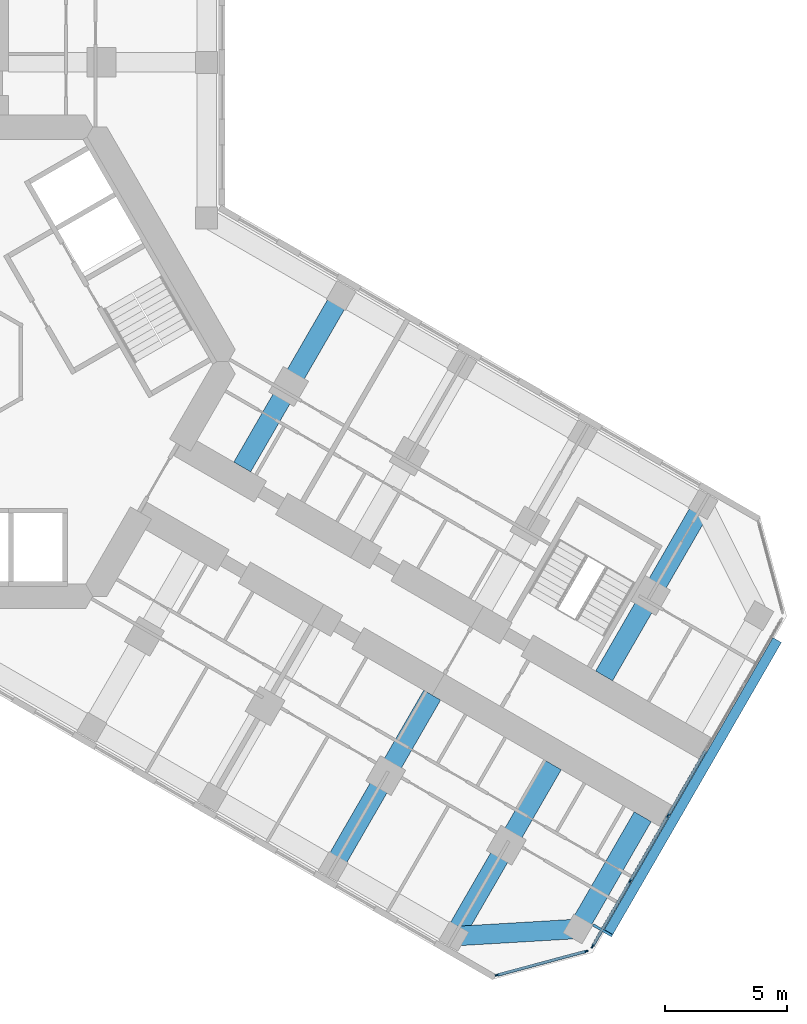
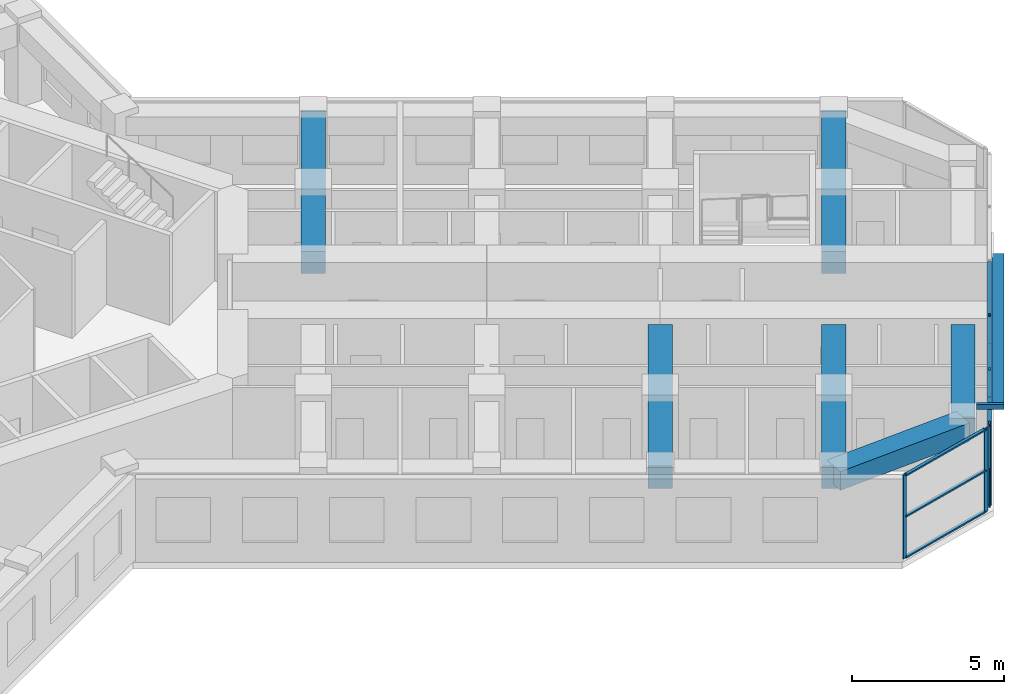
# One storey, part 5 of 22: 16 members, 6 beams, 2 elements without a shape of their own.
"""IFC4 building model written with IfcOpenShell, lengths in metres."""

import ifcopenshell
import ifcopenshell.guid

model = None  # the IFC model being written
_history = None  # IfcOwnerHistory: only IFC2X3 demands one
_inside = {}  # id of a spatial element -> (the spatial element, [elements in it])
_under = {}  # id of a project, library or spatial element -> (it, [spatial elements below it])
_declared = {}  # id of a project -> (the project, [libraries it declares])
_typed = {}  # id of a type object -> (the type object, [elements of that type])
_made_of = {}  # id of a material, layer set ... -> (it, [elements and type objects made of it])


def new_model(schema):
    """Start an empty IFC model of exactly this schema.

    Asked for "IFC4X3", IfcOpenShell would pick the latest addendum, in which some entities
    have other attributes; the version numbers below select the first issue.
    IFC2X3 requires an IfcOwnerHistory on every rooted entity: one is made here for all.
    """
    global model, _history
    if schema == "IFC4X3":
        model = ifcopenshell.file(schema_version=(4, 3, 0, 0))
    else:
        model = ifcopenshell.file(schema=schema)
    _inside.clear()
    _under.clear()
    _declared.clear()
    _typed.clear()
    _made_of.clear()
    _history = None
    if model.schema == "IFC2X3":
        org = make("IfcOrganization", Name="unknown")
        user = make(
            "IfcPersonAndOrganization",
            ThePerson=make("IfcPerson", FamilyName="unknown"),
            TheOrganization=org,
        )
        app = make(
            "IfcApplication",
            ApplicationDeveloper=org,
            Version="unknown",
            ApplicationFullName="unknown",
            ApplicationIdentifier="unknown",
        )
        _history = make(
            "IfcOwnerHistory",
            OwningUser=user,
            OwningApplication=app,
            ChangeAction="ADDED",
            CreationDate=0,
        )
    return model


def make(cls, **values):
    """One entity of the class cls with the attributes given. An attribute that is None is left unset."""
    return model.create_entity(
        cls, **{name: value for name, value in values.items() if value is not None}
    )


def rooted(cls, **values):
    """An entity with a GlobalId (a new one), such as an element, a storey or a relation."""
    return make(cls, GlobalId=ifcopenshell.guid.new(), OwnerHistory=_history, **values)


def si_unit(unit_type, name, prefix=None):
    """IfcSIUnit, for example si_unit("LENGTHUNIT", "METRE", prefix="MILLI")."""
    return make("IfcSIUnit", UnitType=unit_type, Prefix=prefix, Name=name)


def assignment(units):
    """IfcUnitAssignment: the units of a project."""
    return None if units is None else make("IfcUnitAssignment", Units=units)


def point(xyz):
    """IfcCartesianPoint."""
    return None if xyz is None else make("IfcCartesianPoint", Coordinates=xyz)


def direction(xyz):
    """IfcDirection."""
    return None if xyz is None else make("IfcDirection", DirectionRatios=xyz)


def frame(location, z_axis=None, x_axis=None):
    """IfcAxis2Placement3D, a coordinate frame: its origin and axes. An axis left out is left unset."""
    return make(
        "IfcAxis2Placement3D",
        Location=point(location),
        Axis=direction(z_axis),
        RefDirection=direction(x_axis),
    )


def frame_2d(location, x_axis=None):
    """IfcAxis2Placement2D, a coordinate frame in the plane: its origin and x axis."""
    return make(
        "IfcAxis2Placement2D", Location=point(location), RefDirection=direction(x_axis)
    )


def origin():
    """The frame at (0, 0, 0) with its axes left unset."""
    return frame((0.0, 0.0, 0.0))


def origin_2d():
    """The frame at (0, 0) in the plane with its x axis left unset."""
    return frame_2d((0.0, 0.0))


def place(relative_to, where):
    """IfcLocalPlacement: puts the frame where relative to a parent placement (None: the world)."""
    return make(
        "IfcLocalPlacement", PlacementRelTo=relative_to, RelativePlacement=where
    )


def context(
    kind, dimensions, precision=None, world=None, true_north=None, identifier=None
):
    """IfcGeometricRepresentationContext, for example the 3D "Model" context."""
    return make(
        "IfcGeometricRepresentationContext",
        ContextIdentifier=identifier,
        ContextType=kind,
        CoordinateSpaceDimension=dimensions,
        Precision=precision,
        WorldCoordinateSystem=world,
        TrueNorth=true_north,
    )


def subcontext(parent, identifier, kind, view, scale=None):
    """IfcGeometricRepresentationSubContext, for example "Body" below "Model"."""
    return make(
        "IfcGeometricRepresentationSubContext",
        ContextIdentifier=identifier,
        ContextType=kind,
        ParentContext=parent,
        TargetScale=scale,
        TargetView=view,
    )


def project(units=None, contexts=None):
    """IfcProject with its units and contexts."""
    return rooted(
        "IfcProject",
        Name="project",
        RepresentationContexts=contexts,
        UnitsInContext=assignment(units),
    )


def spatial(cls, under=None, at=None, **own):
    """A site, building, storey or space (cls), placed at a placement, below another one or the project."""
    s = rooted(cls, ObjectPlacement=at, **own)
    if under is not None:
        _under.setdefault(under.id(), (under, []))[1].append(s)
    return s


def profile(cls, at=None, kind="AREA", **sizes):
    """A parametric profile (cls). Its sizes go by their IFC names, for example OverallWidth=200.0."""
    return make(cls, ProfileType=kind, Position=at, **sizes)


def rectangle(**sizes):
    """IfcRectangleProfileDef."""
    return profile("IfcRectangleProfileDef", **sizes)


def hollow_rectangle(**sizes):
    """IfcRectangleHollowProfileDef."""
    return profile("IfcRectangleHollowProfileDef", **sizes)


def extrude(swept, where, along, depth):
    """IfcExtrudedAreaSolid: the profile swept, set in the frame where, extruded along a direction by depth."""
    return make(
        "IfcExtrudedAreaSolid",
        SweptArea=swept,
        Position=where,
        ExtrudedDirection=direction(along),
        Depth=depth,
    )


def shape(context_of_items, identifier, shape_type, items):
    """IfcShapeRepresentation: the items that make up one representation, for example the "Body"."""
    return make(
        "IfcShapeRepresentation",
        ContextOfItems=context_of_items,
        RepresentationIdentifier=identifier,
        RepresentationType=shape_type,
        Items=items,
    )


def material(Name=None, Category=None):
    """IfcMaterial."""
    return make("IfcMaterial", Name=Name, Category=Category)


def material_profile(
    of_material, cross_section, Name=None, Category=None, Priority=None
):
    """IfcMaterialProfile: a cross section and its material."""
    return make(
        "IfcMaterialProfile",
        Name=Name,
        Material=of_material,
        Profile=cross_section,
        Priority=Priority,
        Category=Category,
    )


def profile_set(profiles, Name=None, composite=None):
    """IfcMaterialProfileSet."""
    return make(
        "IfcMaterialProfileSet",
        Name=Name,
        MaterialProfiles=profiles,
        CompositeProfile=composite,
    )


def made_of(thing, what):
    """Note that an element or type object is made of a material, layer set ...; save() writes the relation."""
    if what is not None:
        _made_of.setdefault(what.id(), (what, []))[1].append(thing)
    return thing


def type_object(cls, material=None, **own):
    """A type object (cls), such as IfcWallType, which elements share."""
    return made_of(rooted(cls, **own), material)


def element(
    cls,
    number,
    at=None,
    inside=None,
    cuts=None,
    type_object=None,
    material=None,
    context=None,
    identifier="Body",
    shape_type=None,
    held_by="IfcProductDefinitionShape",
    body=None,
    shapes=None,
    **own,
):
    """One element of the class cls, such as IfcWall. Its Tag is "e" and its number.

    at: its placement. inside: the storey or other place that contains it. cuts: it is an
    opening in that element (IfcRelVoidsElement). A single representation is given by context,
    identifier, shape_type and body (its items); several are given by shapes. held_by: the class
    of the entity that holds the representations. save() writes the other relations.
    """
    e = rooted(cls, Tag="e%d" % number, ObjectPlacement=at, **own)
    if body is not None:
        shapes = [shape(context, identifier, shape_type, body)]
    if shapes is not None:
        e.Representation = make(held_by, Representations=shapes)
    if inside is not None:
        _inside.setdefault(inside.id(), (inside, []))[1].append(e)
    if cuts is not None:
        rooted(
            "IfcRelVoidsElement", RelatingBuildingElement=cuts, RelatedOpeningElement=e
        )
    if type_object is not None:
        _typed.setdefault(type_object.id(), (type_object, []))[1].append(e)
    return made_of(e, material)


def aggregate(whole, parts):
    """IfcRelAggregates: a whole, such as a stair, and the parts it consists of."""
    return rooted("IfcRelAggregates", RelatingObject=whole, RelatedObjects=parts)


def save(model, path):
    """Write the relations noted so far, then the file.

    IfcRelAggregates (storeys below a building ...), IfcRelContainedInSpatialStructure (elements
    in a storey), IfcRelDefinesByType, IfcRelAssociatesMaterial and IfcRelDeclares: one each for
    every whole, place, type object, material and project.
    """
    for whole, parts in _under.values():
        aggregate(whole, parts)
    for where, things in _inside.values():
        rooted(
            "IfcRelContainedInSpatialStructure",
            RelatedElements=things,
            RelatingStructure=where,
        )
    for kind, things in _typed.values():
        rooted("IfcRelDefinesByType", RelatedObjects=things, RelatingType=kind)
    for what, things in _made_of.values():
        rooted("IfcRelAssociatesMaterial", RelatedObjects=things, RelatingMaterial=what)
    for by, libraries in _declared.values():
        rooted("IfcRelDeclares", RelatingContext=by, RelatedDefinitions=libraries)
    model.write(path)


model = new_model("IFC4")

# Units and contexts
model_context = context("Model", 3, precision=1e-05, world=origin(), true_north=direction((0.0, 1.0)))
body_context = subcontext(model_context, "Body", "Model", "MODEL_VIEW")
ifc_project = project(units=[si_unit("LENGTHUNIT", "METRE"), si_unit("AREAUNIT", "SQUARE_METRE"), si_unit("VOLUMEUNIT", "CUBIC_METRE"), si_unit("PLANEANGLEUNIT", "RADIAN"), si_unit("MASSUNIT", "GRAM", prefix="KILO")], contexts=[model_context])

# Site, building, storey
site_placement = place(None, origin())
site = spatial("IfcSite", under=ifc_project, at=site_placement, CompositionType="ELEMENT")
building_placement = place(site_placement, origin())
building = spatial("IfcBuilding", under=site, at=building_placement, Name="Kosmar Iwan School Tower", CompositionType="ELEMENT")
storey_placement = place(building_placement, frame((0.0, 0.0, 95.199951171875)))
storey = spatial("IfcBuildingStorey", under=building, at=storey_placement, Name="L23", CompositionType="ELEMENT", Elevation=95.199951171875)

# Members
ifc_material_1 = material(Name="Black anodised aluminium", Category="aluminium")
ifc_material_profile_1 = material_profile(ifc_material_1, rectangle(XDim=0.10009765625, YDim=0.39990234375, at=origin_2d()), Name="FIN 100x400")
ifc_profile_set_1 = profile_set([ifc_material_profile_1], Name="Black anodised aluminium")
member_type_1 = type_object("IfcMemberType", Name="Diagonal fin 100x400", PredefinedType="USERDEFINED", material=ifc_profile_set_1)
member_1_placement = place(storey_placement, frame((33.54345703125, -11.40087890625, -0.14990234375), z_axis=(-0.483795538458, -0.837973939202, 0.252470897702), x_axis=(0.126233699175, 0.218647221293, 0.967604488318)))
element("IfcMember", 1, at=member_1_placement, inside=storey, type_object=member_type_1, Name="Diagonal fin L23-F03", ObjectType="FIN", PredefinedType="USERDEFINED", context=body_context, shape_type="SweptSolid", body=[
    extrude(rectangle(XDim=0.10009765625, YDim=0.39990234375, at=origin_2d()), origin(), (0.0, 0.0, 1.0), 14.258544921875),
])
ifc_material_2 = material(Name="Steel S355", Category="steel")
ifc_material_profile_2 = material_profile(ifc_material_2, hollow_rectangle(XDim=0.10009765625, YDim=0.199951171875, WallThickness=0.008056640625, at=origin_2d()), Name="RHS 200x100x8")
ifc_profile_set_2 = profile_set([ifc_material_profile_2], Name="Steel S355")
member_type_2 = type_object("IfcMemberType", Name="Fin bracket RHS 200x100", PredefinedType="USERDEFINED", material=ifc_profile_set_2)
member_2_placement = place(storey_placement, frame((26.01318359375, -23.0439453125, 3.47509765625), z_axis=(0.866013897511, -0.50001992892, 0.0), x_axis=(0.50001992892, 0.866013897511, 0.0)))
element("IfcMember", 2, at=member_2_placement, inside=storey, type_object=member_type_2, Name="Fin bracket L24", ObjectType="FIN BRACKET", PredefinedType="USERDEFINED", context=body_context, shape_type="SweptSolid", body=[
    extrude(hollow_rectangle(XDim=0.10009765625, YDim=0.199951171875, WallThickness=0.008056640625, at=origin_2d()), origin(), (0.0, 0.0, 1.0), 0.89990234375),
])

# Curtain wall, members
ifc_material_3 = material(Name="Dark glass in black aluminium frame", Category="aluminium")
curtain_wall_type_1 = type_object("IfcCurtainWallType", Name="Chamfer curtain wall dark glass", PredefinedType="USERDEFINED", material=ifc_material_3)
curtain_wall_1_placement = place(storey_placement, origin())
curtain_wall_1 = element("IfcCurtainWall", 3, at=curtain_wall_1_placement, inside=storey, type_object=curtain_wall_type_1, Name="Curtain wall L23-F02", ObjectType="FACETED CURTAIN WALL", PredefinedType="USERDEFINED")
ifc_material_4 = material(Name="Black anodised aluminium", Category="aluminium")
ifc_material_profile_3 = material_profile(ifc_material_4, rectangle(XDim=0.06005859375, YDim=0.159912109375, at=origin_2d()), Name="MULLION 60x160")
ifc_profile_set_3 = profile_set([ifc_material_profile_3], Name="Black anodised aluminium")
member_type_3 = type_object("IfcMemberType", Name="Mullion 60x160", PredefinedType="MULLION", material=ifc_profile_set_3)
member_3_placement = place(storey_placement, frame((22.0830078125, -25.102294921875, 0.0), z_axis=(0.0, 0.0, 1.0), x_axis=(-0.258818861462, 0.965925875495, 0.0)))
member_3 = element("IfcMember", 4, at=member_3_placement, type_object=member_type_3, Name="CW2 mullion 1", PredefinedType="MULLION", context=body_context, shape_type="SweptSolid", body=[
    extrude(rectangle(XDim=0.06005859375, YDim=0.159912109375, at=origin_2d()), origin(), (0.0, 0.0, 1.0), 3.35009765625),
])
member_4_placement = place(storey_placement, frame((25.733154296875, -24.124267578125, 0.0), z_axis=(0.0, 0.0, 1.0), x_axis=(-0.258818861462, 0.965925875495, 0.0)))
member_4 = element("IfcMember", 5, at=member_4_placement, type_object=member_type_3, Name="CW2 mullion 2", PredefinedType="MULLION", context=body_context, shape_type="SweptSolid", body=[
    extrude(rectangle(XDim=0.06005859375, YDim=0.159912109375, at=origin_2d()), origin(), (0.0, 0.0, 1.0), 3.35009765625),
])

ifc_material_5 = material(Name="Dark glass in black aluminium frame", Category="aluminium")
curtain_wall_type_2 = type_object("IfcCurtainWallType", Name="Tower curtain wall dark glass", PredefinedType="USERDEFINED", material=ifc_material_5)
curtain_wall_2_placement = place(storey_placement, origin())
curtain_wall_2 = element("IfcCurtainWall", 6, at=curtain_wall_2_placement, inside=storey, type_object=curtain_wall_type_2, Name="Curtain wall L23-F03", ObjectType="UNITISED CURTAIN WALL", PredefinedType="USERDEFINED")
member_5_placement = place(storey_placement, frame((25.9970703125, -23.921630859375, 0.0), z_axis=(0.0, 0.0, 1.0), x_axis=(-0.866025405329, 0.499999997325, 0.0)))
member_5 = element("IfcMember", 7, at=member_5_placement, type_object=member_type_3, Name="CW1 mullion 1", PredefinedType="MULLION", context=body_context, shape_type="SweptSolid", body=[
    extrude(rectangle(XDim=0.06005859375, YDim=0.159912109375, at=origin_2d()), origin(), (0.0, 0.0, 1.0), 3.35009765625),
])
member_6_placement = place(storey_placement, frame((27.53173828125, -21.263671875, 0.0), z_axis=(0.0, 0.0, 1.0), x_axis=(-0.866025405329, 0.499999997325, 0.0)))
member_6 = element("IfcMember", 8, at=member_6_placement, type_object=member_type_3, Name="CW1 mullion 2", PredefinedType="MULLION", context=body_context, shape_type="SweptSolid", body=[
    extrude(rectangle(XDim=0.06005859375, YDim=0.159912109375, at=origin_2d()), origin(), (0.0, 0.0, 1.0), 3.35009765625),
])
member_7_placement = place(storey_placement, frame((29.081298828125, -18.57958984375, 0.0), z_axis=(0.0, 0.0, 1.0), x_axis=(-0.866025405329, 0.499999997325, 0.0)))
member_7 = element("IfcMember", 9, at=member_7_placement, type_object=member_type_3, Name="CW1 mullion 3", PredefinedType="MULLION", context=body_context, shape_type="SweptSolid", body=[
    extrude(rectangle(XDim=0.06005859375, YDim=0.159912109375, at=origin_2d()), origin(), (0.0, 0.0, 1.0), 3.35009765625),
])

# Beams
ifc_material_6 = material(Name="Concrete C50/60", Category="concrete")
ifc_material_profile_4 = material_profile(ifc_material_6, rectangle(XDim=0.800048828125, YDim=0.75, at=origin_2d()), Name="RC 800x750")
ifc_profile_set_4 = profile_set([ifc_material_profile_4], Name="Concrete C50/60")
beam_type_1 = type_object("IfcBeamType", Name="RC tip beam 800x750", PredefinedType="BEAM", material=ifc_profile_set_4)
beam_1_placement = place(storey_placement, frame((20.31787109375, -23.508544921875, 2.97509765625), z_axis=(0.998260616478, 0.058955420358, 0.0), x_axis=(-0.058955420358, 0.998260616478, 0.0)))
element("IfcBeam", 10, at=beam_1_placement, inside=storey, type_object=beam_type_1, Name="Tip beam CR", PredefinedType="BEAM", context=body_context, shape_type="SweptSolid", body=[
    extrude(rectangle(XDim=0.800048828125, YDim=0.75, at=origin_2d()), origin(), (0.0, 0.0, 1.0), 5.08935546875),
])
beam_2_placement = place(storey_placement, frame((25.3984375, -23.20849609375, 2.97509765625), z_axis=(0.499993606316, 0.866029095148, 0.0), x_axis=(-0.866029095148, 0.499993606316, 0.0)))
element("IfcBeam", 11, at=beam_2_placement, inside=storey, type_object=beam_type_1, Name="Tip beam CR to corridor wall", PredefinedType="BEAM", context=body_context, shape_type="SweptSolid", body=[
    extrude(rectangle(XDim=0.800048828125, YDim=0.75, at=origin_2d()), origin(), (0.0, 0.0, 1.0), 5.2998046875),
])
ifc_material_7 = material(Name="Concrete C50/60", Category="concrete")
ifc_material_profile_5 = material_profile(ifc_material_7, rectangle(XDim=0.800048828125, YDim=0.89990234375, at=origin_2d()), Name="RC 800x900")
ifc_profile_set_5 = profile_set([ifc_material_profile_5], Name="Concrete C50/60")
beam_type_2 = type_object("IfcBeamType", Name="RC transverse beam 800x900", PredefinedType="BEAM", material=ifc_profile_set_5)
for number, where, z_axis, x_axis, name in (
    (12, (15.708740234375, 2.70849609375, 2.900146484375), (-0.499999880539, -0.866025472755, 0.0), (0.866025472755, -0.499999880539, 0.0), "Transverse beam CL1"),
    (13, (30.517822265625, -5.841552734375, 2.900146484375), (-0.499999880539, -0.866025472755, 0.0), (0.866025472755, -0.499999880539, 0.0), "Transverse beam CL4"),
    (14, (15.381591796875, -20.658447265625, 2.900146484375), (0.499977274689, 0.866038523851, 0.0), (-0.866038523851, 0.499977274689, 0.0), "Transverse beam CR3"),
    (15, (20.31787109375, -23.508544921875, 2.900146484375), (0.499999880539, 0.866025472755, 0.0), (-0.866025472755, 0.499999880539, 0.0), "Transverse beam CR4"),
):
    element("IfcBeam", number, at=place(storey_placement, frame(where, z_axis=z_axis, x_axis=x_axis)), inside=storey, type_object=beam_type_2, Name=name, PredefinedType="BEAM", context=body_context, shape_type="SweptSolid", body=[
        extrude(rectangle(XDim=0.800048828125, YDim=0.89990234375, at=origin_2d()), origin(), (0.0, 0.0, 1.0), 8.10009765625),
    ])

# Member
ifc_material_8 = material(Name="Black anodised aluminium", Category="aluminium")
ifc_material_profile_6 = material_profile(ifc_material_8, rectangle(XDim=0.1201171875, YDim=0.06005859375, at=origin_2d()), Name="TRANSOM 60x120")
ifc_profile_set_6 = profile_set([ifc_material_profile_6], Name="Black anodised aluminium")
member_type_4 = type_object("IfcMemberType", Name="Transom 60x120", PredefinedType="USERDEFINED", material=ifc_profile_set_6)
member_8_placement = place(storey_placement, frame((22.11181640625, -25.094482421875, 0.030029296875), z_axis=(0.965923731726, 0.258826861991, 0.0), x_axis=(-0.258826861991, 0.965923731726, 0.0)))
member_8 = element("IfcMember", 16, at=member_8_placement, type_object=member_type_4, Name="CW2 transom 1.1", ObjectType="TRANSOM", PredefinedType="USERDEFINED", context=body_context, shape_type="SweptSolid", body=[
    extrude(rectangle(XDim=0.1201171875, YDim=0.06005859375, at=origin_2d()), origin(), (0.0, 0.0, 1.0), 3.71923828125),
])

member_9_placement = place(storey_placement, frame((22.11181640625, -25.094482421875, 1.675048828125), z_axis=(0.965923731726, 0.258826861991, 0.0), x_axis=(-0.258826861991, 0.965923731726, 0.0)))
member_9 = element("IfcMember", 17, at=member_9_placement, type_object=member_type_4, Name="CW2 transom 1.2", ObjectType="TRANSOM", PredefinedType="USERDEFINED", context=body_context, shape_type="SweptSolid", body=[
    extrude(rectangle(XDim=0.1201171875, YDim=0.06005859375, at=origin_2d()), origin(), (0.0, 0.0, 1.0), 3.71923828125),
])

member_10_placement = place(storey_placement, frame((22.11181640625, -25.094482421875, 3.320068359375), z_axis=(0.965923731726, 0.258826861991, 0.0), x_axis=(-0.258826861991, 0.965923731726, 0.0)))
member_10 = element("IfcMember", 18, at=member_10_placement, type_object=member_type_4, Name="CW2 transom 1.3", ObjectType="TRANSOM", PredefinedType="USERDEFINED", context=body_context, shape_type="SweptSolid", body=[
    extrude(rectangle(XDim=0.1201171875, YDim=0.06005859375, at=origin_2d()), origin(), (0.0, 0.0, 1.0), 3.71923828125),
])

aggregate(curtain_wall_1, [member_3, member_4, member_8, member_9, member_10])

member_11_placement = place(storey_placement, frame((26.01220703125, -23.895751953125, 0.030029296875), z_axis=(0.499986971506, 0.866032925658, 0.0), x_axis=(-0.866032925658, 0.499986971506, 0.0)))
member_11 = element("IfcMember", 19, at=member_11_placement, type_object=member_type_4, Name="CW1 transom 1.1", ObjectType="TRANSOM", PredefinedType="USERDEFINED", context=body_context, shape_type="SweptSolid", body=[
    extrude(rectangle(XDim=0.1201171875, YDim=0.06005859375, at=origin_2d()), origin(), (0.0, 0.0, 1.0), 3.00927734375),
])

member_12_placement = place(storey_placement, frame((26.01220703125, -23.895751953125, 3.320068359375), z_axis=(0.499986971506, 0.866032925658, 0.0), x_axis=(-0.866032925658, 0.499986971506, 0.0)))
member_12 = element("IfcMember", 20, at=member_12_placement, type_object=member_type_4, Name="CW1 transom 1.2", ObjectType="TRANSOM", PredefinedType="USERDEFINED", context=body_context, shape_type="SweptSolid", body=[
    extrude(rectangle(XDim=0.1201171875, YDim=0.06005859375, at=origin_2d()), origin(), (0.0, 0.0, 1.0), 3.00927734375),
])

member_13_placement = place(storey_placement, frame((27.546875, -21.237548828125, 0.030029296875), z_axis=(0.499975102327, 0.866039777986, 0.0), x_axis=(-0.866039777986, 0.499975102327, 0.0)))
member_13 = element("IfcMember", 21, at=member_13_placement, type_object=member_type_4, Name="CW1 transom 2.1", ObjectType="TRANSOM", PredefinedType="USERDEFINED", context=body_context, shape_type="SweptSolid", body=[
    extrude(rectangle(XDim=0.1201171875, YDim=0.06005859375, at=origin_2d()), origin(), (0.0, 0.0, 1.0), 3.039306640625),
])

member_14_placement = place(storey_placement, frame((27.546875, -21.237548828125, 3.320068359375), z_axis=(0.499975102327, 0.866039777986, 0.0), x_axis=(-0.866039777986, 0.499975102327, 0.0)))
member_14 = element("IfcMember", 22, at=member_14_placement, type_object=member_type_4, Name="CW1 transom 2.2", ObjectType="TRANSOM", PredefinedType="USERDEFINED", context=body_context, shape_type="SweptSolid", body=[
    extrude(rectangle(XDim=0.1201171875, YDim=0.06005859375, at=origin_2d()), origin(), (0.0, 0.0, 1.0), 3.039306640625),
])

member_15_placement = place(storey_placement, frame((29.096435546875, -18.553466796875, 0.030029296875), z_axis=(0.499975102327, 0.866039777986, 0.0), x_axis=(-0.866039777986, 0.499975102327, 0.0)))
member_15 = element("IfcMember", 23, at=member_15_placement, type_object=member_type_4, Name="CW1 transom 3.1", ObjectType="TRANSOM", PredefinedType="USERDEFINED", context=body_context, shape_type="SweptSolid", body=[
    extrude(rectangle(XDim=0.1201171875, YDim=0.06005859375, at=origin_2d()), origin(), (0.0, 0.0, 1.0), 3.039306640625),
])

member_16_placement = place(storey_placement, frame((29.096435546875, -18.553466796875, 3.320068359375), z_axis=(0.499975102327, 0.866039777986, 0.0), x_axis=(-0.866039777986, 0.499975102327, 0.0)))
member_16 = element("IfcMember", 24, at=member_16_placement, type_object=member_type_4, Name="CW1 transom 3.2", ObjectType="TRANSOM", PredefinedType="USERDEFINED", context=body_context, shape_type="SweptSolid", body=[
    extrude(rectangle(XDim=0.1201171875, YDim=0.06005859375, at=origin_2d()), origin(), (0.0, 0.0, 1.0), 3.039306640625),
])

aggregate(curtain_wall_2, [member_5, member_6, member_7, member_11, member_12, member_13, member_14, member_15, member_16])

save(model, "model.ifc")
